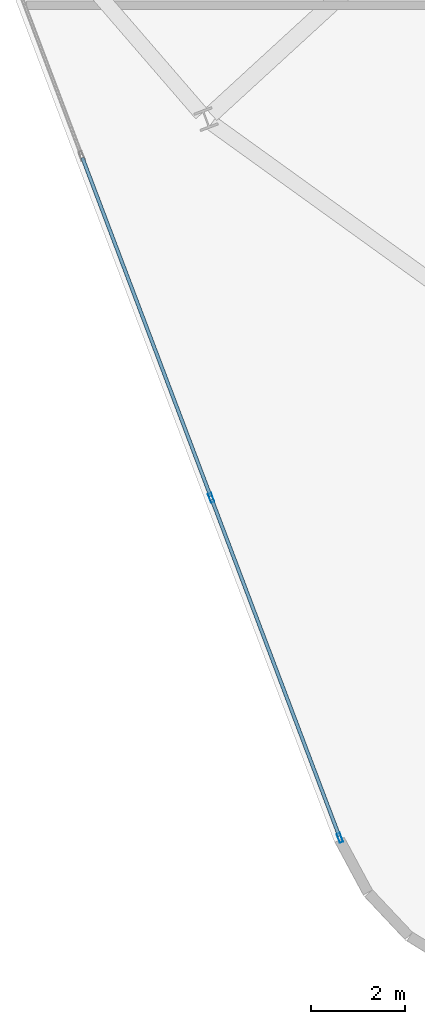
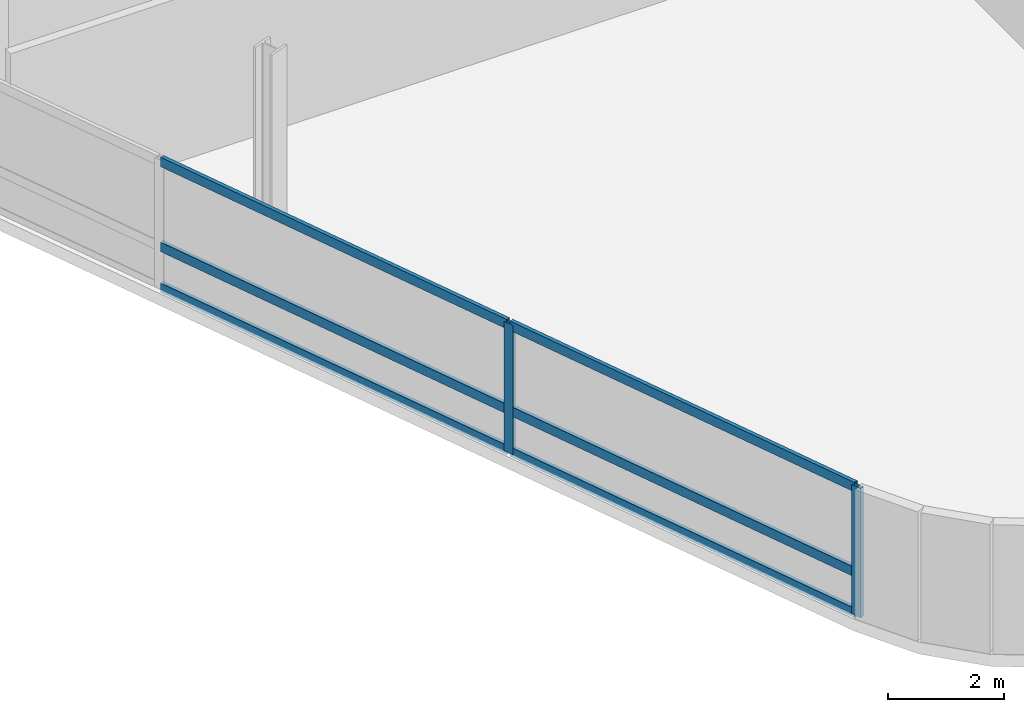
# One storey, part 3 of 20: 8 members, 1 element without a shape of its own.
"""IFC4 building model written with IfcOpenShell, lengths in metres."""

from ifc_helpers import new_model, si_unit, direction, frame, origin, origin_2d, place, context, subcontext, project, spatial, hollow_rectangle, extrude, material, layer, layer_set, material_profile, profile_set, type_object, element, aggregate, save


model = new_model("IFC4")

# Units and contexts
model_context = context("Model", 3, precision=1e-05, world=origin(), true_north=direction((0.0, 1.0)))
body_context = subcontext(model_context, "Body", "Model", "MODEL_VIEW")
ifc_project = project(units=[si_unit("LENGTHUNIT", "METRE"), si_unit("AREAUNIT", "SQUARE_METRE"), si_unit("VOLUMEUNIT", "CUBIC_METRE"), si_unit("PLANEANGLEUNIT", "RADIAN"), si_unit("MASSUNIT", "GRAM", prefix="KILO")], contexts=[model_context])

# Site, building, storey
site_placement = place(None, origin())
site = spatial("IfcSite", under=ifc_project, at=site_placement, CompositionType="ELEMENT")
building_placement = place(site_placement, origin())
building = spatial("IfcBuilding", under=site, at=building_placement, Name="Varnelok Gate Tower", CompositionType="ELEMENT")
storey_placement = place(building_placement, frame((0.0, 0.0, 234.89990234375)))
storey = spatial("IfcBuildingStorey", under=building, at=storey_placement, Name="L60", CompositionType="ELEMENT", Elevation=234.89990234375)

# Curtain wall, members
ifc_material = material(Name="Anodized Aluminum Alloy 6063-T6", Category="aluminium")
ifc_layer = layer(ifc_material, 0.179931640625)
ifc_layer_set = layer_set([ifc_layer], Name="Anodized Aluminum Alloy 6063-T6")
curtain_wall_type = type_object("IfcCurtainWallType", Name="CW4-RESIDENCE-VISION", PredefinedType="USERDEFINED", material=ifc_layer_set)
curtain_wall_placement = place(storey_placement, origin())
curtain_wall = element("IfcCurtainWall", 1, at=curtain_wall_placement, inside=storey, type_object=curtain_wall_type, Name="L60 West End Vision Curtain Wall", ObjectType="UNITISED CURTAIN WALL", PredefinedType="USERDEFINED")
ifc_material_profile_1 = material_profile(ifc_material, hollow_rectangle(XDim=0.074951171875, YDim=0.199951171875, WallThickness=0.00390625, at=origin_2d()), Name="ALU200X75X4")
ifc_profile_set_1 = profile_set([ifc_material_profile_1], Name="Anodized Aluminum Alloy 6063-T6")
member_type_1 = type_object("IfcMemberType", Name="CW-MULL-200", PredefinedType="MULLION", material=ifc_profile_set_1)
member_1_placement = place(storey_placement, frame((13.88525390625, -0.92431640625, 0.0), z_axis=(0.0, 0.0, 1.0), x_axis=(-0.935221557832, -0.354063042079, 0.0)))
member_1 = element("IfcMember", 2, at=member_1_placement, type_object=member_type_1, Name="CW4 mullion 1", PredefinedType="MULLION", context=body_context, shape_type="SweptSolid", body=[
    extrude(hollow_rectangle(XDim=0.074951171875, YDim=0.199951171875, WallThickness=0.00390625, at=origin_2d()), origin(), (0.0, 0.0, 1.0), 2.72998046875),
])
member_2_placement = place(storey_placement, frame((11.13671875, 6.33544921875, 0.0), z_axis=(0.0, 0.0, 1.0), x_axis=(-0.935221557832, -0.354063042079, 0.0)))
member_2 = element("IfcMember", 3, at=member_2_placement, type_object=member_type_1, Name="CW4 mullion 2", PredefinedType="MULLION", context=body_context, shape_type="SweptSolid", body=[
    extrude(hollow_rectangle(XDim=0.074951171875, YDim=0.199951171875, WallThickness=0.00390625, at=origin_2d()), origin(), (0.0, 0.0, 1.0), 2.72998046875),
])
ifc_material_profile_2 = material_profile(ifc_material, hollow_rectangle(XDim=0.074951171875, YDim=0.199951171875, WallThickness=0.00390625, at=origin_2d()), Name="ALU200X75X4")
ifc_profile_set_2 = profile_set([ifc_material_profile_2], Name="Anodized Aluminum Alloy 6063-T6")
member_type_2 = type_object("IfcMemberType", Name="CW-TRAN-200", PredefinedType="USERDEFINED", material=ifc_profile_set_2)
member_3_placement = place(storey_placement, frame((13.871826171875, -0.88916015625, 0.03759765625), z_axis=(-0.354045264669, 0.935228287941, 0.0), x_axis=(-0.935228287941, -0.354045264669, 0.0)))
member_3 = element("IfcMember", 4, at=member_3_placement, type_object=member_type_2, Name="CW4 transom 1.1", ObjectType="TRANSOM", PredefinedType="USERDEFINED", context=body_context, shape_type="SweptSolid", body=[
    extrude(hollow_rectangle(XDim=0.074951171875, YDim=0.199951171875, WallThickness=0.00390625, at=origin_2d()), origin(), (0.0, 0.0, 1.0), 7.687255859375),
])
member_4_placement = place(storey_placement, frame((13.871826171875, -0.88916015625, 0.900146484375), z_axis=(-0.354045264669, 0.935228287941, 0.0), x_axis=(-0.935228287941, -0.354045264669, 0.0)))
member_4 = element("IfcMember", 5, at=member_4_placement, type_object=member_type_2, Name="CW4 transom 1.2", ObjectType="TRANSOM", PredefinedType="USERDEFINED", context=body_context, shape_type="SweptSolid", body=[
    extrude(hollow_rectangle(XDim=0.074951171875, YDim=0.199951171875, WallThickness=0.00390625, at=origin_2d()), origin(), (0.0, 0.0, 1.0), 7.687255859375),
])
member_5_placement = place(storey_placement, frame((13.871826171875, -0.88916015625, 2.692626953125), z_axis=(-0.354045264669, 0.935228287941, 0.0), x_axis=(-0.935228287941, -0.354045264669, 0.0)))
member_5 = element("IfcMember", 6, at=member_5_placement, type_object=member_type_2, Name="CW4 transom 1.3", ObjectType="TRANSOM", PredefinedType="USERDEFINED", context=body_context, shape_type="SweptSolid", body=[
    extrude(hollow_rectangle(XDim=0.074951171875, YDim=0.199951171875, WallThickness=0.00390625, at=origin_2d()), origin(), (0.0, 0.0, 1.0), 7.687255859375),
])
member_6_placement = place(storey_placement, frame((11.12353515625, 6.370361328125, 0.03759765625), z_axis=(-0.354058714128, 0.935223196328, 0.0), x_axis=(-0.935223196328, -0.354058714128, 0.0)))
member_6 = element("IfcMember", 7, at=member_6_placement, type_object=member_type_2, Name="CW4 transom 2.1", ObjectType="TRANSOM", PredefinedType="USERDEFINED", context=body_context, shape_type="SweptSolid", body=[
    extrude(hollow_rectangle(XDim=0.074951171875, YDim=0.199951171875, WallThickness=0.00390625, at=origin_2d()), origin(), (0.0, 0.0, 1.0), 7.72509765625),
])
member_7_placement = place(storey_placement, frame((11.12353515625, 6.370361328125, 0.900146484375), z_axis=(-0.354058714128, 0.935223196328, 0.0), x_axis=(-0.935223196328, -0.354058714128, 0.0)))
member_7 = element("IfcMember", 8, at=member_7_placement, type_object=member_type_2, Name="CW4 transom 2.2", ObjectType="TRANSOM", PredefinedType="USERDEFINED", context=body_context, shape_type="SweptSolid", body=[
    extrude(hollow_rectangle(XDim=0.074951171875, YDim=0.199951171875, WallThickness=0.00390625, at=origin_2d()), origin(), (0.0, 0.0, 1.0), 7.72509765625),
])
member_8_placement = place(storey_placement, frame((11.12353515625, 6.370361328125, 2.692626953125), z_axis=(-0.354058714128, 0.935223196328, 0.0), x_axis=(-0.935223196328, -0.354058714128, 0.0)))
member_8 = element("IfcMember", 9, at=member_8_placement, type_object=member_type_2, Name="CW4 transom 2.3", ObjectType="TRANSOM", PredefinedType="USERDEFINED", context=body_context, shape_type="SweptSolid", body=[
    extrude(hollow_rectangle(XDim=0.074951171875, YDim=0.199951171875, WallThickness=0.00390625, at=origin_2d()), origin(), (0.0, 0.0, 1.0), 7.72509765625),
])
aggregate(curtain_wall, [member_1, member_2, member_3, member_4, member_5, member_6, member_7, member_8])

save(model, "model.ifc")
